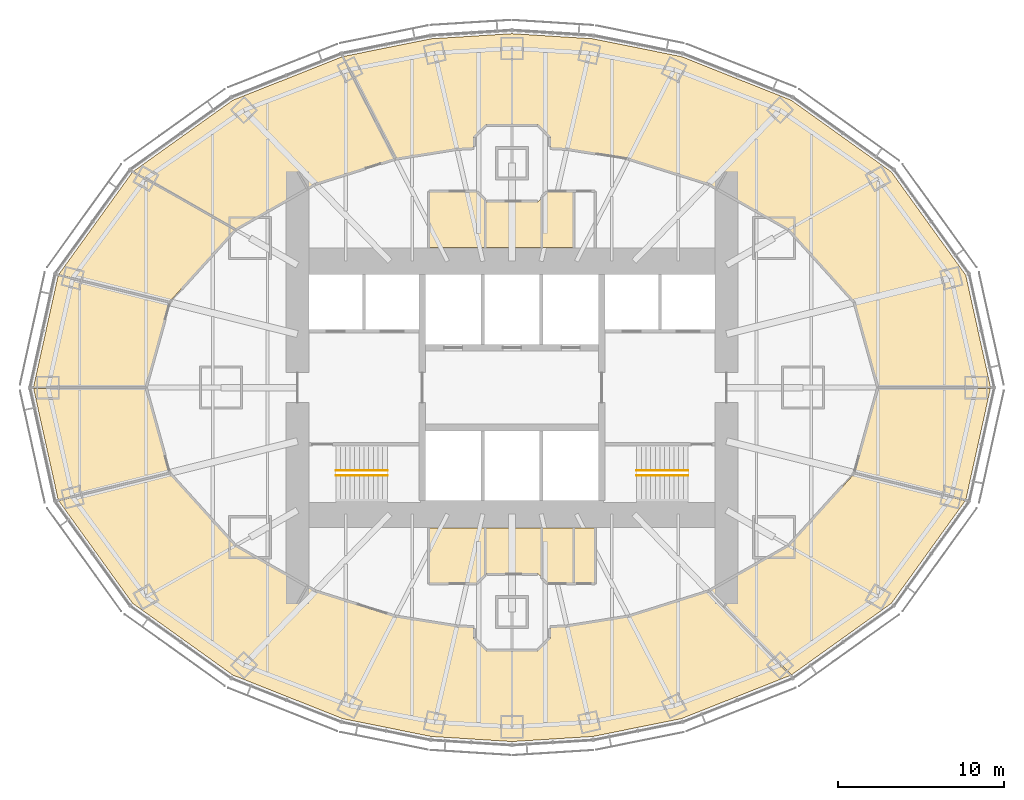
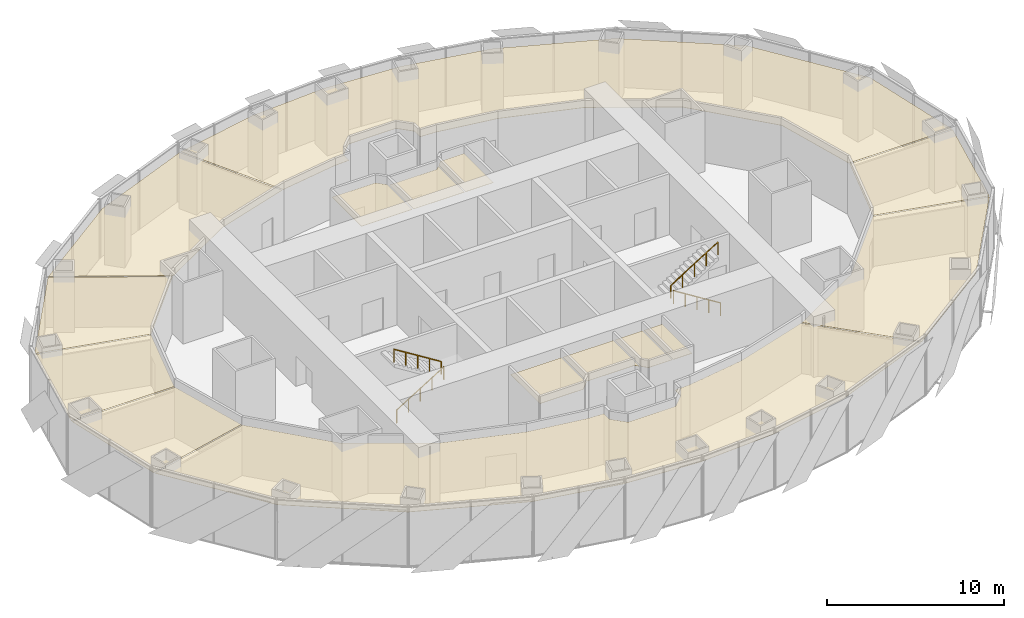
# One storey, part 17 of 17: 15 coverings, 4 railings.
"""IFC4 building model written with IfcOpenShell, lengths in metres."""

from ifc_helpers import new_model, si_unit, direction, frame, origin, origin_2d, place, context, subcontext, project, spatial, polyline, circle, outline, extrude, material, layer, layer_set, type_object, element, save


model = new_model("IFC4")

# Units and contexts
model_context = context("Model", 3, precision=1e-05, world=origin(), true_north=direction((0.0, 1.0)))
body_context = subcontext(model_context, "Body", "Model", "MODEL_VIEW")
ifc_project = project(units=[si_unit("LENGTHUNIT", "METRE"), si_unit("AREAUNIT", "SQUARE_METRE"), si_unit("VOLUMEUNIT", "CUBIC_METRE"), si_unit("PLANEANGLEUNIT", "RADIAN"), si_unit("MASSUNIT", "GRAM", prefix="KILO")], contexts=[model_context])

# Site, building, storey
site_placement = place(None, origin())
site = spatial("IfcSite", under=ifc_project, at=site_placement, CompositionType="ELEMENT")
building_placement = place(site_placement, origin())
building = spatial("IfcBuilding", under=site, at=building_placement, Name="Lantaw Convention Tower", CompositionType="ELEMENT")
storey_placement = place(building_placement, frame((0.0, 0.0, 121.60009765625)))
storey = spatial("IfcBuildingStorey", under=building, at=storey_placement, Name="L28", CompositionType="ELEMENT", Elevation=121.60009765625)

# Railings
ifc_material_1 = material(Name="Stainless steel", Category="steel")
railing_type = type_object("IfcRailingType", Name="Stair handrail", PredefinedType="HANDRAIL", material=ifc_material_1)
railing_1_placement = place(storey_placement, frame((-10.580078125, -5.280029296875, 0.1748046875)))
element("IfcRailing", 1, at=railing_1_placement, inside=storey, type_object=railing_type, Name="Stair handrail S1", PredefinedType="HANDRAIL", context=body_context, shape_type="SweptSolid", body=[
    extrude(circle(Radius=0.02392578125, at=origin_2d()), frame((0.0, 0.0, 0.8759765625), z_axis=(0.847998304005, 0.0, 0.529998940003), x_axis=(0.0, 1.0, 0.0)), (0.0, 0.0, 1.0), 3.632080078125),
    extrude(circle(Radius=0.02099609375, at=origin_2d()), origin(), (0.0, 0.0, 1.0), 0.851806640625),
    extrude(circle(Radius=0.02099609375, at=origin_2d()), frame((0.77001953125, 0.0, 0.481201171875)), (0.0, 0.0, 1.0), 0.851806640625),
    extrude(circle(Radius=0.02099609375, at=origin_2d()), frame((1.5400390625, 0.0, 0.96240234375)), (0.0, 0.0, 1.0), 0.851806640625),
    extrude(circle(Radius=0.02099609375, at=origin_2d()), frame((2.31005859375, 0.0, 1.44384765625)), (0.0, 0.0, 1.0), 0.851806640625),
    extrude(circle(Radius=0.02099609375, at=origin_2d()), frame((3.080078125, 0.0, 1.925048828125)), (0.0, 0.0, 1.0), 0.851806640625),
])
for number, where, name in (
    (2, (-7.5, -4.97998046875, 2.27490234375), "Stair handrail S1"),
    (3, (10.580078125, -5.280029296875, 0.1748046875), "Stair handrail S2"),
):
    element("IfcRailing", number, at=place(storey_placement, frame(where)), inside=storey, type_object=railing_type, Name=name, PredefinedType="HANDRAIL", context=body_context, shape_type="SweptSolid", body=[
        extrude(circle(Radius=0.02392578125, at=origin_2d()), frame((0.0, 0.0, 0.8759765625), z_axis=(-0.847998304005, 0.0, 0.529998940003), x_axis=(0.0, -1.0, 0.0)), (0.0, 0.0, 1.0), 3.632080078125),
        extrude(circle(Radius=0.02099609375, at=origin_2d()), origin(), (0.0, 0.0, 1.0), 0.851806640625),
        extrude(circle(Radius=0.02099609375, at=origin_2d()), frame((-0.77001953125, 0.0, 0.481201171875)), (0.0, 0.0, 1.0), 0.851806640625),
        extrude(circle(Radius=0.02099609375, at=origin_2d()), frame((-1.5400390625, 0.0, 0.96240234375)), (0.0, 0.0, 1.0), 0.851806640625),
        extrude(circle(Radius=0.02099609375, at=origin_2d()), frame((-2.31005859375, 0.0, 1.44384765625)), (0.0, 0.0, 1.0), 0.851806640625),
        extrude(circle(Radius=0.02099609375, at=origin_2d()), frame((-3.080078125, 0.0, 1.925048828125)), (0.0, 0.0, 1.0), 0.851806640625),
    ])
railing_2_placement = place(storey_placement, frame((7.5, -4.97998046875, 2.27490234375)))
element("IfcRailing", 4, at=railing_2_placement, inside=storey, type_object=railing_type, Name="Stair handrail S2", PredefinedType="HANDRAIL", context=body_context, shape_type="SweptSolid", body=[
    extrude(circle(Radius=0.02392578125, at=origin_2d()), frame((0.0, 0.0, 0.8759765625), z_axis=(0.847998304005, 0.0, 0.529998940003), x_axis=(0.0, 1.0, 0.0)), (0.0, 0.0, 1.0), 3.632080078125),
    extrude(circle(Radius=0.02099609375, at=origin_2d()), origin(), (0.0, 0.0, 1.0), 0.851806640625),
    extrude(circle(Radius=0.02099609375, at=origin_2d()), frame((0.77001953125, 0.0, 0.481201171875)), (0.0, 0.0, 1.0), 0.851806640625),
    extrude(circle(Radius=0.02099609375, at=origin_2d()), frame((1.5400390625, 0.0, 0.96240234375)), (0.0, 0.0, 1.0), 0.851806640625),
    extrude(circle(Radius=0.02099609375, at=origin_2d()), frame((2.31005859375, 0.0, 1.44384765625)), (0.0, 0.0, 1.0), 0.851806640625),
    extrude(circle(Radius=0.02099609375, at=origin_2d()), frame((3.080078125, 0.0, 1.925048828125)), (0.0, 0.0, 1.0), 0.851806640625),
])

# Coverings
ifc_material_2 = material(Name="Gypsum board on steel suspension grid", Category="steel")
ifc_layer = layer(ifc_material_2, 0.02001953125)
ifc_layer_set = layer_set([ifc_layer], Name="Suspended ceiling")
covering_type = type_object("IfcCoveringType", Name="Suspended ceiling", PredefinedType="CEILING", material=ifc_layer_set)
covering_1_placement = place(storey_placement, frame((0.0, 0.0, 3.449951171875)))
element("IfcCovering", 5, at=covering_1_placement, inside=storey, type_object=covering_type, Name="Female WC ceiling", PredefinedType="CEILING", context=body_context, shape_type="SweptSolid", body=[
    extrude(outline(polyline([(-4.9599609375, 11.760009765625), (-4.9599609375, 8.43994140625), (-1.639892578125, 8.43994140625), (-1.639892578125, 11.26611328125), (-2.1337890625, 11.760009765625), (-4.9599609375, 11.760009765625)])), origin(), (0.0, 0.0, 1.0), 0.02001953125),
])
covering_2_placement = place(storey_placement, frame((0.0, 0.0, 3.449951171875)))
element("IfcCovering", 6, at=covering_2_placement, inside=storey, type_object=covering_type, Name="Male WC ceiling", PredefinedType="CEILING", context=body_context, shape_type="SweptSolid", body=[
    extrude(outline(polyline([(-1.56005859375, 11.186279296875), (-1.56005859375, 8.43994140625), (1.760009765625, 8.43994140625), (1.760009765625, 11.38623046875), (1.548828125, 11.175048828125), (-1.548828125, 11.175048828125), (-1.56005859375, 11.186279296875)])), origin(), (0.0, 0.0, 1.0), 0.02001953125),
])
covering_3_placement = place(storey_placement, frame((0.0, 0.0, 3.449951171875)))
element("IfcCovering", 7, at=covering_3_placement, inside=storey, type_object=covering_type, Name="Accessible WC ceiling", PredefinedType="CEILING", context=body_context, shape_type="SweptSolid", body=[
    extrude(outline(polyline([(1.840087890625, 11.466064453125), (1.840087890625, 8.43994140625), (3.659912109375, 8.43994140625), (3.659912109375, 11.760009765625), (2.1337890625, 11.760009765625), (1.840087890625, 11.466064453125)])), origin(), (0.0, 0.0, 1.0), 0.02001953125),
])
covering_4_placement = place(storey_placement, frame((0.0, 0.0, 3.449951171875)))
element("IfcCovering", 8, at=covering_4_placement, inside=storey, type_object=covering_type, Name="Female WC ceiling", PredefinedType="CEILING", context=body_context, shape_type="SweptSolid", body=[
    extrude(outline(polyline([(-4.9599609375, -8.43994140625), (-4.9599609375, -11.760009765625), (-2.1337890625, -11.760009765625), (-1.639892578125, -11.26611328125), (-1.639892578125, -8.43994140625), (-4.9599609375, -8.43994140625)])), origin(), (0.0, 0.0, 1.0), 0.02001953125),
])
covering_5_placement = place(storey_placement, frame((0.0, 0.0, 3.449951171875)))
element("IfcCovering", 9, at=covering_5_placement, inside=storey, type_object=covering_type, Name="Male WC ceiling", PredefinedType="CEILING", context=body_context, shape_type="SweptSolid", body=[
    extrude(outline(polyline([(-1.56005859375, -11.186279296875), (-1.548828125, -11.175048828125), (1.548828125, -11.175048828125), (1.760009765625, -11.38623046875), (1.760009765625, -8.43994140625), (-1.56005859375, -8.43994140625), (-1.56005859375, -11.186279296875)])), origin(), (0.0, 0.0, 1.0), 0.02001953125),
])
covering_6_placement = place(storey_placement, frame((0.0, 0.0, 3.449951171875)))
element("IfcCovering", 10, at=covering_6_placement, inside=storey, type_object=covering_type, Name="Accessible WC ceiling", PredefinedType="CEILING", context=body_context, shape_type="SweptSolid", body=[
    extrude(outline(polyline([(1.840087890625, -8.43994140625), (1.840087890625, -11.466064453125), (2.1337890625, -11.760009765625), (3.659912109375, -11.760009765625), (3.659912109375, -8.43994140625), (1.840087890625, -8.43994140625)])), origin(), (0.0, 0.0, 1.0), 0.02001953125),
])
covering_7_placement = place(storey_placement, frame((0.0, 0.0, 3.449951171875)))
element("IfcCovering", 11, at=covering_7_placement, inside=storey, type_object=covering_type, Name="Pantry ceiling", PredefinedType="CEILING", context=body_context, shape_type="SweptSolid", body=[
    extrude(outline(polyline([(3.739990234375, -11.760009765625), (4.9599609375, -11.760009765625), (4.9599609375, -8.43994140625), (3.739990234375, -8.43994140625), (3.739990234375, -11.760009765625)])), origin(), (0.0, 0.0, 1.0), 0.02001953125),
])
covering_8_placement = place(storey_placement, frame((0.0, 0.0, 3.449951171875)))
element("IfcCovering", 12, at=covering_8_placement, inside=storey, type_object=covering_type, Name="Contact-centre floor ceiling", PredefinedType="CEILING", context=body_context, shape_type="SweptSolid", body=[
    extrude(outline(polyline([(20.61279296875, 5.150146484375), (22.030517578125, 0.0400390625), (28.77099609375, 0.0400390625), (27.286865234375, 6.763671875), (22.815185546875, 12.970947265625), (16.778076171875, 17.29150390625), (10.1865234375, 19.90576171875), (4.864501953125, 20.978271484375), (0.0, 21.28466796875), (-4.864501953125, 20.978271484375), (-10.13818359375, 19.91552734375), (-6.9814453125, 13.78955078125), (-3.313720703125, 14.374755859375), (-2.324951171875, 14.424072265625), (-2.324951171875, 15.048828125), (-1.548828125, 15.824951171875), (1.548828125, 15.824951171875), (2.324951171875, 15.048828125), (2.324951171875, 14.424072265625), (3.313720703125, 14.374755859375), (7.012939453125, 13.78466796875), (11.828857421875, 12.269287109375), (16.647705078125, 9.5302734375), (20.61279296875, 5.150146484375)])), origin(), (0.0, 0.0, 1.0), 0.02001953125),
])
covering_9_placement = place(storey_placement, frame((0.0, 0.0, 3.449951171875)))
element("IfcCovering", 13, at=covering_9_placement, inside=storey, type_object=covering_type, Name="Training room ceiling", PredefinedType="CEILING", context=body_context, shape_type="SweptSolid", body=[
    extrude(outline(polyline([(-7.06103515625, 13.76953125), (-10.217041015625, 19.893798828125), (-16.778076171875, 17.29150390625), (-22.76953125, 13.003662109375), (-16.62255859375, 9.54443359375), (-11.828857421875, 12.269287109375), (-7.06103515625, 13.76953125)])), origin(), (0.0, 0.0, 1.0), 0.02001953125),
])
covering_10_placement = place(storey_placement, frame((0.0, 0.0, 3.449951171875)))
element("IfcCovering", 14, at=covering_10_placement, inside=storey, type_object=covering_type, Name="Nap room ceiling", PredefinedType="CEILING", context=body_context, shape_type="SweptSolid", body=[
    extrude(outline(polyline([(-16.685791015625, 9.48828125), (-22.832275390625, 12.947265625), (-27.257080078125, 6.80517578125), (-20.590576171875, 5.1748046875), (-16.685791015625, 9.48828125)])), origin(), (0.0, 0.0, 1.0), 0.02001953125),
])
covering_11_placement = place(storey_placement, frame((0.0, 0.0, 3.449951171875)))
element("IfcCovering", 15, at=covering_11_placement, inside=storey, type_object=covering_type, Name="Quiet room ceiling", PredefinedType="CEILING", context=body_context, shape_type="SweptSolid", body=[
    extrude(outline(polyline([(-20.62646484375, 5.101318359375), (-27.2939453125, 6.731689453125), (-28.77099609375, 0.0400390625), (-22.030517578125, 0.0400390625), (-20.62646484375, 5.101318359375)])), origin(), (0.0, 0.0, 1.0), 0.02001953125),
])
covering_12_placement = place(storey_placement, frame((0.0, 0.0, 3.449951171875)))
element("IfcCovering", 16, at=covering_12_placement, inside=storey, type_object=covering_type, Name="24-hour pantry ceiling", PredefinedType="CEILING", context=body_context, shape_type="SweptSolid", body=[
    extrude(outline(polyline([(-22.030517578125, -0.0400390625), (-28.77099609375, -0.0400390625), (-27.2939453125, -6.731689453125), (-20.62646484375, -5.101318359375), (-22.030517578125, -0.0400390625)])), origin(), (0.0, 0.0, 1.0), 0.02001953125),
])
covering_13_placement = place(storey_placement, frame((0.0, 0.0, 3.449951171875)))
element("IfcCovering", 17, at=covering_13_placement, inside=storey, type_object=covering_type, Name="Contact-centre floor ceiling", PredefinedType="CEILING", context=body_context, shape_type="SweptSolid", body=[
    extrude(outline(polyline([(-16.647705078125, -9.5302734375), (-20.590576171875, -5.1748046875), (-27.257080078125, -6.80517578125), (-22.815185546875, -12.970947265625), (-16.778076171875, -17.29150390625), (-10.1865234375, -19.90576171875), (-4.864501953125, -20.978271484375), (0.0, -21.28466796875), (4.864501953125, -20.978271484375), (10.1865234375, -19.90576171875), (16.7265625, -17.311767578125), (11.80126953125, -12.278076171875), (7.012939453125, -13.78466796875), (3.313720703125, -14.374755859375), (2.324951171875, -14.424072265625), (2.324951171875, -15.048828125), (1.548828125, -15.824951171875), (-1.548828125, -15.824951171875), (-2.324951171875, -15.048828125), (-2.324951171875, -14.424072265625), (-3.313720703125, -14.374755859375), (-7.012939453125, -13.78466796875), (-11.828857421875, -12.269287109375), (-16.647705078125, -9.5302734375)])), origin(), (0.0, 0.0, 1.0), 0.02001953125),
])
covering_14_placement = place(storey_placement, frame((0.0, 0.0, 3.449951171875)))
element("IfcCovering", 18, at=covering_14_placement, inside=storey, type_object=covering_type, Name="Training room ceiling", PredefinedType="CEILING", context=body_context, shape_type="SweptSolid", body=[
    extrude(outline(polyline([(11.877685546875, -12.24169921875), (16.802001953125, -17.2744140625), (22.815185546875, -12.970947265625), (27.257080078125, -6.80517578125), (20.590576171875, -5.1748046875), (16.647705078125, -9.5302734375), (11.877685546875, -12.24169921875)])), origin(), (0.0, 0.0, 1.0), 0.02001953125),
])
covering_15_placement = place(storey_placement, frame((0.0, 0.0, 3.449951171875)))
element("IfcCovering", 19, at=covering_15_placement, inside=storey, type_object=covering_type, Name="Nap room ceiling", PredefinedType="CEILING", context=body_context, shape_type="SweptSolid", body=[
    extrude(outline(polyline([(20.62646484375, -5.101318359375), (27.2939453125, -6.731689453125), (28.77099609375, -0.0400390625), (22.030517578125, -0.0400390625), (20.62646484375, -5.101318359375)])), origin(), (0.0, 0.0, 1.0), 0.02001953125),
])

save(model, "model.ifc")
